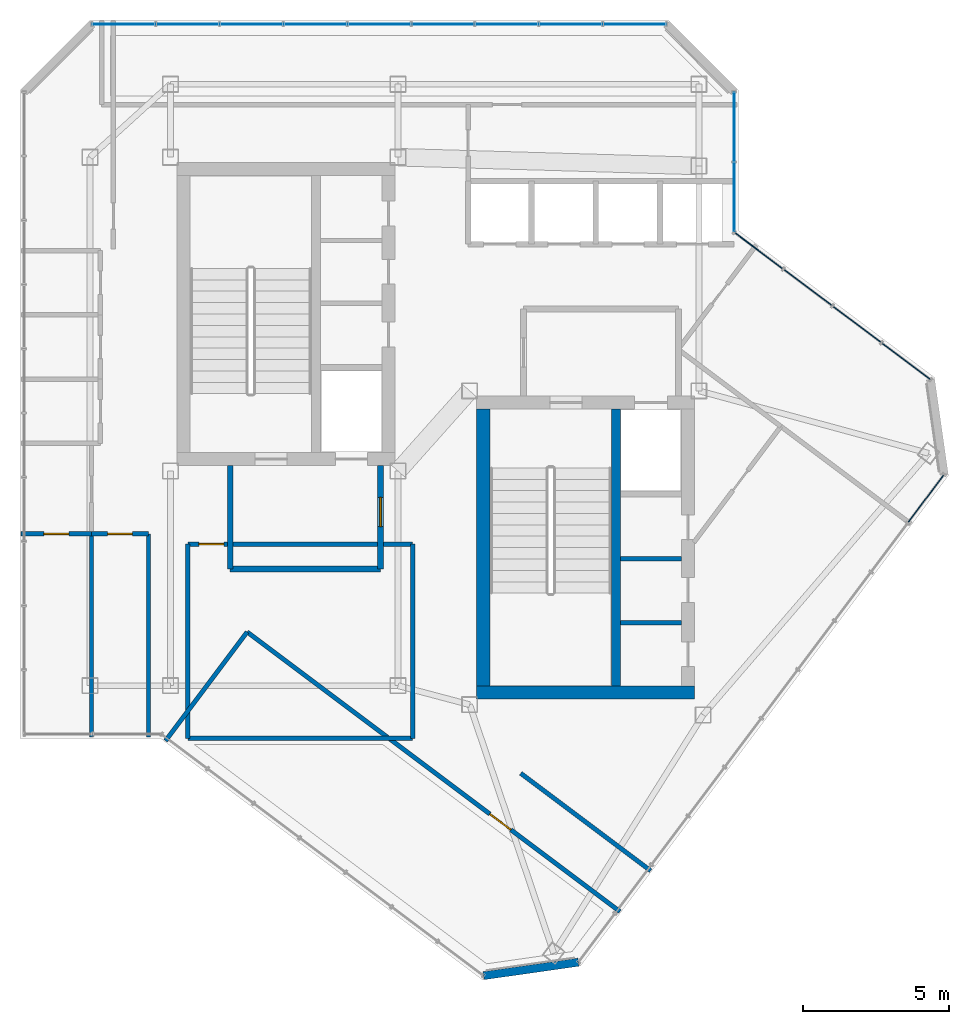
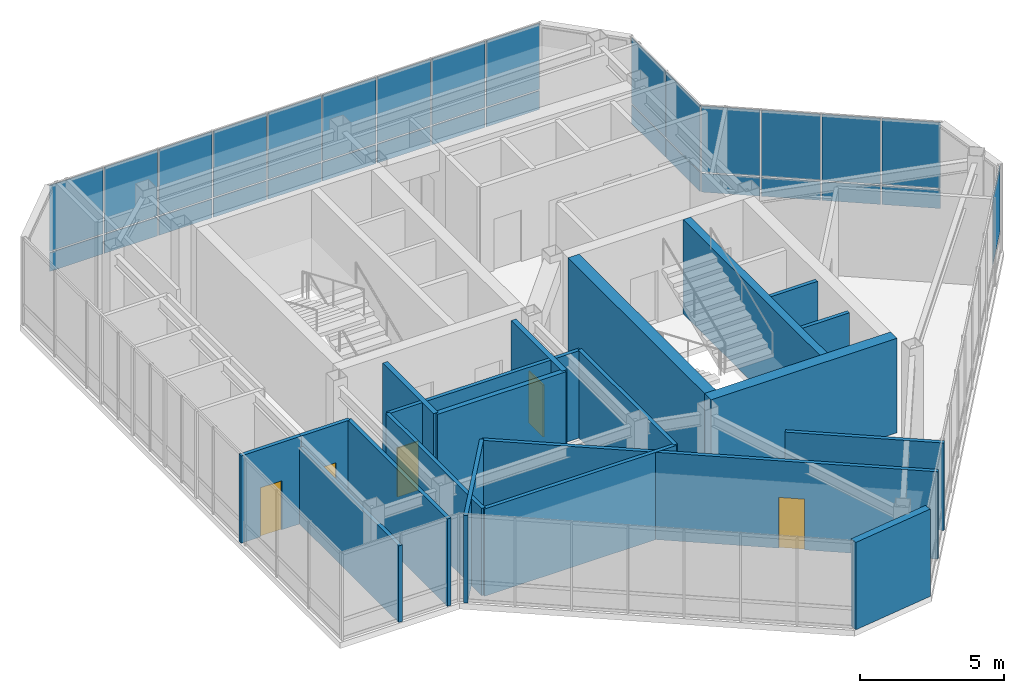
# One storey, part 20 of 24: 31 plates, 20 walls, 5 doors, 5 openings, 4 elements without a shape of their own.
"""IFC4 building model written with IfcOpenShell, lengths in metres."""

from ifc_helpers import new_model, si_unit, direction, frame, frame_2d, origin, origin_2d, place, context, subcontext, project, spatial, rectangle, extrude, material, layer, layer_set, type_object, element, fill, aggregate, save


model = new_model("IFC4")

# Units and contexts
model_context = context("Model", 3, precision=1e-05, world=origin(), true_north=direction((0.0, 1.0)))
body_context = subcontext(model_context, "Body", "Model", "MODEL_VIEW")
ifc_project = project(units=[si_unit("LENGTHUNIT", "METRE"), si_unit("AREAUNIT", "SQUARE_METRE"), si_unit("VOLUMEUNIT", "CUBIC_METRE"), si_unit("PLANEANGLEUNIT", "RADIAN"), si_unit("MASSUNIT", "GRAM", prefix="KILO")], contexts=[model_context])

# Site, building, storey
site_placement = place(None, origin())
site = spatial("IfcSite", under=ifc_project, at=site_placement, CompositionType="ELEMENT")
building_placement = place(site_placement, origin())
building = spatial("IfcBuilding", under=site, at=building_placement, Name="Hatsunagi Terrace Concourse", CompositionType="ELEMENT")
storey_placement = place(building_placement, frame((0.0, 0.0, 285.949951171875)))
storey = spatial("IfcBuildingStorey", under=building, at=storey_placement, Name="L75", CompositionType="ELEMENT", Elevation=285.949951171875)

# Curtain wall, plates
ifc_material_1 = material(Name="Anodised Aluminium Alloy 6063-T5", Category="aluminium")
ifc_layer_1 = layer(ifc_material_1, 0.199951171875)
ifc_layer_set_1 = layer_set([ifc_layer_1], Name="CrownWintergarden_CW06")
curtain_wall_type = type_object("IfcCurtainWallType", Name="CrownWintergarden_CW06", PredefinedType="NOTDEFINED", material=ifc_layer_set_1)
curtain_wall_1_placement = place(storey_placement, origin())
curtain_wall_1 = element("IfcCurtainWall", 1, at=curtain_wall_1_placement, inside=storey, type_object=curtain_wall_type, Name="Unitised Curtain Wall CW-06 CW-L75-01", PredefinedType="NOTDEFINED")
ifc_material_2 = material(Name="Warm Terracotta Ceramic Spandrel Panel", Category="masonry")
ifc_layer_2 = layer(ifc_material_2, 0.031982421875)
ifc_layer_set_2 = layer_set([ifc_layer_2], Name="CurtainWallSpandrelPanel_32")
plate_type_1 = type_object("IfcPlateType", Name="CurtainWallSpandrelPanel_32", PredefinedType="SHEET", material=ifc_layer_set_2)
plate_1_placement = place(storey_placement, frame((45.700927734375, 40.09912109375, 0.030029296875), z_axis=(0.0, 0.0, 1.0), x_axis=(0.800028248794, -0.599962333093, 0.0)))
plate_1 = element("IfcPlate", 2, at=plate_1_placement, type_object=plate_type_1, Name="Terracotta Spandrel Panel SPN-01", PredefinedType="SHEET", context=body_context, shape_type="SweptSolid", body=[
    extrude(rectangle(XDim=2.048095703125, YDim=0.031982421875, at=origin_2d()), origin(), (0.0, 0.0, 1.0), 0.7900390625),
])
plate_2_placement = place(storey_placement, frame((47.384033203125, 38.8369140625, 0.030029296875), z_axis=(0.0, 0.0, 1.0), x_axis=(0.800028248794, -0.599962333093, 0.0)))
plate_2 = element("IfcPlate", 3, at=plate_2_placement, type_object=plate_type_1, Name="Terracotta Spandrel Panel SPN-01", PredefinedType="SHEET", context=body_context, shape_type="SweptSolid", body=[
    extrude(rectangle(XDim=2.048095703125, YDim=0.031982421875, at=origin_2d()), origin(), (0.0, 0.0, 1.0), 0.7900390625),
])
plate_3_placement = place(storey_placement, frame((49.06591796875, 37.575927734375, 0.030029296875), z_axis=(0.0, 0.0, 1.0), x_axis=(0.800028248794, -0.599962333093, 0.0)))
plate_3 = element("IfcPlate", 4, at=plate_3_placement, type_object=plate_type_1, Name="Terracotta Spandrel Panel SPN-01", PredefinedType="SHEET", context=body_context, shape_type="SweptSolid", body=[
    extrude(rectangle(XDim=2.048095703125, YDim=0.031982421875, at=origin_2d()), origin(), (0.0, 0.0, 1.0), 0.7900390625),
])
plate_4_placement = place(storey_placement, frame((50.7490234375, 36.31396484375, 0.030029296875), z_axis=(0.0, 0.0, 1.0), x_axis=(0.800028248794, -0.599962333093, 0.0)))
plate_4 = element("IfcPlate", 5, at=plate_4_placement, type_object=plate_type_1, Name="Terracotta Spandrel Panel SPN-01", PredefinedType="SHEET", context=body_context, shape_type="SweptSolid", body=[
    extrude(rectangle(XDim=2.048095703125, YDim=0.031982421875, at=origin_2d()), origin(), (0.0, 0.0, 1.0), 0.7900390625),
])

curtain_wall_2_placement = place(storey_placement, origin())
curtain_wall_2 = element("IfcCurtainWall", 6, at=curtain_wall_2_placement, inside=storey, type_object=curtain_wall_type, Name="Unitised Curtain Wall CW-06 CW-L75-09", PredefinedType="NOTDEFINED")
plate_5_placement = place(storey_placement, frame((23.951904296875, 47.860107421875, 0.030029296875), z_axis=(0.0, 0.0, 1.0), x_axis=(1.0, 0.0, 0.0)))
plate_5 = element("IfcPlate", 7, at=plate_5_placement, type_object=plate_type_1, Name="Terracotta Spandrel Panel SPN-01", PredefinedType="SHEET", context=body_context, shape_type="SweptSolid", body=[
    extrude(rectangle(XDim=2.132080078125, YDim=0.031982421875, at=origin_2d()), origin(), (0.0, 0.0, 1.0), 0.7900390625),
])
plate_6_placement = place(storey_placement, frame((26.138916015625, 47.860107421875, 0.030029296875), z_axis=(0.0, 0.0, 1.0), x_axis=(1.0, 0.0, 0.0)))
plate_6 = element("IfcPlate", 8, at=plate_6_placement, type_object=plate_type_1, Name="Terracotta Spandrel Panel SPN-01", PredefinedType="SHEET", context=body_context, shape_type="SweptSolid", body=[
    extrude(rectangle(XDim=2.132080078125, YDim=0.031982421875, at=origin_2d()), origin(), (0.0, 0.0, 1.0), 0.7900390625),
])
plate_7_placement = place(storey_placement, frame((28.325927734375, 47.860107421875, 0.030029296875), z_axis=(0.0, 0.0, 1.0), x_axis=(1.0, 0.0, 0.0)))
plate_7 = element("IfcPlate", 9, at=plate_7_placement, type_object=plate_type_1, Name="Terracotta Spandrel Panel SPN-01", PredefinedType="SHEET", context=body_context, shape_type="SweptSolid", body=[
    extrude(rectangle(XDim=2.132080078125, YDim=0.031982421875, at=origin_2d()), origin(), (0.0, 0.0, 1.0), 0.7900390625),
])
plate_8_placement = place(storey_placement, frame((30.512939453125, 47.860107421875, 0.030029296875), z_axis=(0.0, 0.0, 1.0), x_axis=(1.0, 0.0, 0.0)))
plate_8 = element("IfcPlate", 10, at=plate_8_placement, type_object=plate_type_1, Name="Terracotta Spandrel Panel SPN-01", PredefinedType="SHEET", context=body_context, shape_type="SweptSolid", body=[
    extrude(rectangle(XDim=2.132080078125, YDim=0.031982421875, at=origin_2d()), origin(), (0.0, 0.0, 1.0), 0.7900390625),
])
plate_9_placement = place(storey_placement, frame((32.699951171875, 47.860107421875, 0.030029296875), z_axis=(0.0, 0.0, 1.0), x_axis=(1.0, 0.0, 0.0)))
plate_9 = element("IfcPlate", 11, at=plate_9_placement, type_object=plate_type_1, Name="Terracotta Spandrel Panel SPN-01", PredefinedType="SHEET", context=body_context, shape_type="SweptSolid", body=[
    extrude(rectangle(XDim=2.132080078125, YDim=0.031982421875, at=origin_2d()), origin(), (0.0, 0.0, 1.0), 0.7900390625),
])
plate_10_placement = place(storey_placement, frame((34.886962890625, 47.860107421875, 0.030029296875), z_axis=(0.0, 0.0, 1.0), x_axis=(1.0, 0.0, 0.0)))
plate_10 = element("IfcPlate", 12, at=plate_10_placement, type_object=plate_type_1, Name="Terracotta Spandrel Panel SPN-01", PredefinedType="SHEET", context=body_context, shape_type="SweptSolid", body=[
    extrude(rectangle(XDim=2.132080078125, YDim=0.031982421875, at=origin_2d()), origin(), (0.0, 0.0, 1.0), 0.7900390625),
])
plate_11_placement = place(storey_placement, frame((37.073974609375, 47.860107421875, 0.030029296875), z_axis=(0.0, 0.0, 1.0), x_axis=(1.0, 0.0, 0.0)))
plate_11 = element("IfcPlate", 13, at=plate_11_placement, type_object=plate_type_1, Name="Terracotta Spandrel Panel SPN-01", PredefinedType="SHEET", context=body_context, shape_type="SweptSolid", body=[
    extrude(rectangle(XDim=2.132080078125, YDim=0.031982421875, at=origin_2d()), origin(), (0.0, 0.0, 1.0), 0.7900390625),
])
plate_12_placement = place(storey_placement, frame((39.260986328125, 47.860107421875, 0.030029296875), z_axis=(0.0, 0.0, 1.0), x_axis=(1.0, 0.0, 0.0)))
plate_12 = element("IfcPlate", 14, at=plate_12_placement, type_object=plate_type_1, Name="Terracotta Spandrel Panel SPN-01", PredefinedType="SHEET", context=body_context, shape_type="SweptSolid", body=[
    extrude(rectangle(XDim=2.132080078125, YDim=0.031982421875, at=origin_2d()), origin(), (0.0, 0.0, 1.0), 0.7900390625),
])
plate_13_placement = place(storey_placement, frame((41.447998046875, 47.860107421875, 0.030029296875), z_axis=(0.0, 0.0, 1.0), x_axis=(1.0, 0.0, 0.0)))
plate_13 = element("IfcPlate", 15, at=plate_13_placement, type_object=plate_type_1, Name="Terracotta Spandrel Panel SPN-01", PredefinedType="SHEET", context=body_context, shape_type="SweptSolid", body=[
    extrude(rectangle(XDim=2.132080078125, YDim=0.031982421875, at=origin_2d()), origin(), (0.0, 0.0, 1.0), 0.7900390625),
])

curtain_wall_3_placement = place(storey_placement, origin())
curtain_wall_3 = element("IfcCurtainWall", 16, at=curtain_wall_3_placement, inside=storey, type_object=curtain_wall_type, Name="Unitised Curtain Wall CW-06 CW-L75-11", PredefinedType="NOTDEFINED")
plate_14_placement = place(storey_placement, frame((44.860107421875, 44.339111328125, 0.030029296875), z_axis=(0.0, 0.0, 1.0), x_axis=(0.0, -1.0, 0.0)))
plate_14 = element("IfcPlate", 17, at=plate_14_placement, type_object=plate_type_1, Name="Terracotta Spandrel Panel SPN-01", PredefinedType="SHEET", context=body_context, shape_type="SweptSolid", body=[
    extrude(rectangle(XDim=2.35107421875, YDim=0.031982421875, at=origin_2d()), origin(), (0.0, 0.0, 1.0), 0.7900390625),
])
plate_15_placement = place(storey_placement, frame((44.860107421875, 41.93310546875, 0.030029296875), z_axis=(0.0, 0.0, 1.0), x_axis=(0.0, -1.0, 0.0)))
plate_15 = element("IfcPlate", 18, at=plate_15_placement, type_object=plate_type_1, Name="Terracotta Spandrel Panel SPN-01", PredefinedType="SHEET", context=body_context, shape_type="SweptSolid", body=[
    extrude(rectangle(XDim=2.35107421875, YDim=0.031982421875, at=origin_2d()), origin(), (0.0, 0.0, 1.0), 0.7900390625),
])

# Plate
ifc_material_3 = material(Name="Low-E Double Insulating Glass 28mm", Category="glass")
ifc_layer_3 = layer(ifc_material_3, 0.028076171875)
ifc_layer_set_3 = layer_set([ifc_layer_3], Name="CurtainWallVisionGlass_28")
plate_type_2 = type_object("IfcPlateType", Name="CurtainWallVisionGlass_28", PredefinedType="CURTAIN_PANEL", material=ifc_layer_set_3)
plate_16_placement = place(storey_placement, frame((45.700927734375, 40.09912109375, 0.880126953125), z_axis=(0.0, 0.0, 1.0), x_axis=(0.800028248794, -0.599962333093, 0.0)))
plate_16 = element("IfcPlate", 19, at=plate_16_placement, type_object=plate_type_2, Name="Low-E Vision Glass Panel GLZ-01", PredefinedType="CURTAIN_PANEL", context=body_context, shape_type="SweptSolid", body=[
    extrude(rectangle(XDim=2.048095703125, YDim=0.028076171875, at=origin_2d()), origin(), (0.0, 0.0, 1.0), 2.7900390625),
])

plate_17_placement = place(storey_placement, frame((47.384033203125, 38.8369140625, 0.880126953125), z_axis=(0.0, 0.0, 1.0), x_axis=(0.800028248794, -0.599962333093, 0.0)))
plate_17 = element("IfcPlate", 20, at=plate_17_placement, type_object=plate_type_2, Name="Low-E Vision Glass Panel GLZ-01", PredefinedType="CURTAIN_PANEL", context=body_context, shape_type="SweptSolid", body=[
    extrude(rectangle(XDim=2.048095703125, YDim=0.028076171875, at=origin_2d()), origin(), (0.0, 0.0, 1.0), 2.7900390625),
])

plate_18_placement = place(storey_placement, frame((49.06591796875, 37.575927734375, 0.880126953125), z_axis=(0.0, 0.0, 1.0), x_axis=(0.800028248794, -0.599962333093, 0.0)))
plate_18 = element("IfcPlate", 21, at=plate_18_placement, type_object=plate_type_2, Name="Low-E Vision Glass Panel GLZ-01", PredefinedType="CURTAIN_PANEL", context=body_context, shape_type="SweptSolid", body=[
    extrude(rectangle(XDim=2.048095703125, YDim=0.028076171875, at=origin_2d()), origin(), (0.0, 0.0, 1.0), 2.7900390625),
])

plate_19_placement = place(storey_placement, frame((50.7490234375, 36.31396484375, 0.880126953125), z_axis=(0.0, 0.0, 1.0), x_axis=(0.800028248794, -0.599962333093, 0.0)))
plate_19 = element("IfcPlate", 22, at=plate_19_placement, type_object=plate_type_2, Name="Low-E Vision Glass Panel GLZ-01", PredefinedType="CURTAIN_PANEL", context=body_context, shape_type="SweptSolid", body=[
    extrude(rectangle(XDim=2.048095703125, YDim=0.028076171875, at=origin_2d()), origin(), (0.0, 0.0, 1.0), 2.7900390625),
])

aggregate(curtain_wall_1, [plate_1, plate_16, plate_2, plate_17, plate_3, plate_18, plate_4, plate_19])

# Curtain wall, plate
curtain_wall_4_placement = place(storey_placement, origin())
curtain_wall_4 = element("IfcCurtainWall", 23, at=curtain_wall_4_placement, inside=storey, type_object=curtain_wall_type, Name="Unitised Curtain Wall CW-06 CW-L75-03", PredefinedType="NOTDEFINED")
plate_20_placement = place(storey_placement, frame((51.426025390625, 31.60302734375, 0.880126953125), z_axis=(0.0, 0.0, 1.0), x_axis=(-0.599969314634, -0.800023013105, 0.0)))
plate_20 = element("IfcPlate", 24, at=plate_20_placement, type_object=plate_type_2, Name="Low-E Vision Glass Panel GLZ-01", PredefinedType="CURTAIN_PANEL", context=body_context, shape_type="SweptSolid", body=[
    extrude(rectangle(XDim=2.032958984375, YDim=0.028076171875, at=origin_2d()), origin(), (0.0, 0.0, 1.0), 2.7900390625),
])
aggregate(curtain_wall_4, [plate_20])

# Plate
plate_21_placement = place(storey_placement, frame((23.951904296875, 47.860107421875, 0.880126953125), z_axis=(0.0, 0.0, 1.0), x_axis=(1.0, 0.0, 0.0)))
plate_21 = element("IfcPlate", 25, at=plate_21_placement, type_object=plate_type_2, Name="Low-E Vision Glass Panel GLZ-01", PredefinedType="CURTAIN_PANEL", context=body_context, shape_type="SweptSolid", body=[
    extrude(rectangle(XDim=2.132080078125, YDim=0.028076171875, at=origin_2d()), origin(), (0.0, 0.0, 1.0), 2.7900390625),
])

plate_22_placement = place(storey_placement, frame((26.138916015625, 47.860107421875, 0.880126953125), z_axis=(0.0, 0.0, 1.0), x_axis=(1.0, 0.0, 0.0)))
plate_22 = element("IfcPlate", 26, at=plate_22_placement, type_object=plate_type_2, Name="Low-E Vision Glass Panel GLZ-01", PredefinedType="CURTAIN_PANEL", context=body_context, shape_type="SweptSolid", body=[
    extrude(rectangle(XDim=2.132080078125, YDim=0.028076171875, at=origin_2d()), origin(), (0.0, 0.0, 1.0), 2.7900390625),
])

plate_23_placement = place(storey_placement, frame((28.325927734375, 47.860107421875, 0.880126953125), z_axis=(0.0, 0.0, 1.0), x_axis=(1.0, 0.0, 0.0)))
plate_23 = element("IfcPlate", 27, at=plate_23_placement, type_object=plate_type_2, Name="Low-E Vision Glass Panel GLZ-01", PredefinedType="CURTAIN_PANEL", context=body_context, shape_type="SweptSolid", body=[
    extrude(rectangle(XDim=2.132080078125, YDim=0.028076171875, at=origin_2d()), origin(), (0.0, 0.0, 1.0), 2.7900390625),
])

plate_24_placement = place(storey_placement, frame((30.512939453125, 47.860107421875, 0.880126953125), z_axis=(0.0, 0.0, 1.0), x_axis=(1.0, 0.0, 0.0)))
plate_24 = element("IfcPlate", 28, at=plate_24_placement, type_object=plate_type_2, Name="Low-E Vision Glass Panel GLZ-01", PredefinedType="CURTAIN_PANEL", context=body_context, shape_type="SweptSolid", body=[
    extrude(rectangle(XDim=2.132080078125, YDim=0.028076171875, at=origin_2d()), origin(), (0.0, 0.0, 1.0), 2.7900390625),
])

plate_25_placement = place(storey_placement, frame((32.699951171875, 47.860107421875, 0.880126953125), z_axis=(0.0, 0.0, 1.0), x_axis=(1.0, 0.0, 0.0)))
plate_25 = element("IfcPlate", 29, at=plate_25_placement, type_object=plate_type_2, Name="Low-E Vision Glass Panel GLZ-01", PredefinedType="CURTAIN_PANEL", context=body_context, shape_type="SweptSolid", body=[
    extrude(rectangle(XDim=2.132080078125, YDim=0.028076171875, at=origin_2d()), origin(), (0.0, 0.0, 1.0), 2.7900390625),
])

plate_26_placement = place(storey_placement, frame((34.886962890625, 47.860107421875, 0.880126953125), z_axis=(0.0, 0.0, 1.0), x_axis=(1.0, 0.0, 0.0)))
plate_26 = element("IfcPlate", 30, at=plate_26_placement, type_object=plate_type_2, Name="Low-E Vision Glass Panel GLZ-01", PredefinedType="CURTAIN_PANEL", context=body_context, shape_type="SweptSolid", body=[
    extrude(rectangle(XDim=2.132080078125, YDim=0.028076171875, at=origin_2d()), origin(), (0.0, 0.0, 1.0), 2.7900390625),
])

plate_27_placement = place(storey_placement, frame((37.073974609375, 47.860107421875, 0.880126953125), z_axis=(0.0, 0.0, 1.0), x_axis=(1.0, 0.0, 0.0)))
plate_27 = element("IfcPlate", 31, at=plate_27_placement, type_object=plate_type_2, Name="Low-E Vision Glass Panel GLZ-01", PredefinedType="CURTAIN_PANEL", context=body_context, shape_type="SweptSolid", body=[
    extrude(rectangle(XDim=2.132080078125, YDim=0.028076171875, at=origin_2d()), origin(), (0.0, 0.0, 1.0), 2.7900390625),
])

plate_28_placement = place(storey_placement, frame((39.260986328125, 47.860107421875, 0.880126953125), z_axis=(0.0, 0.0, 1.0), x_axis=(1.0, 0.0, 0.0)))
plate_28 = element("IfcPlate", 32, at=plate_28_placement, type_object=plate_type_2, Name="Low-E Vision Glass Panel GLZ-01", PredefinedType="CURTAIN_PANEL", context=body_context, shape_type="SweptSolid", body=[
    extrude(rectangle(XDim=2.132080078125, YDim=0.028076171875, at=origin_2d()), origin(), (0.0, 0.0, 1.0), 2.7900390625),
])

plate_29_placement = place(storey_placement, frame((41.447998046875, 47.860107421875, 0.880126953125), z_axis=(0.0, 0.0, 1.0), x_axis=(1.0, 0.0, 0.0)))
plate_29 = element("IfcPlate", 33, at=plate_29_placement, type_object=plate_type_2, Name="Low-E Vision Glass Panel GLZ-01", PredefinedType="CURTAIN_PANEL", context=body_context, shape_type="SweptSolid", body=[
    extrude(rectangle(XDim=2.132080078125, YDim=0.028076171875, at=origin_2d()), origin(), (0.0, 0.0, 1.0), 2.7900390625),
])

aggregate(curtain_wall_2, [plate_5, plate_21, plate_6, plate_22, plate_7, plate_23, plate_8, plate_24, plate_9, plate_25, plate_10, plate_26, plate_11, plate_27, plate_12, plate_28, plate_13, plate_29])

plate_30_placement = place(storey_placement, frame((44.860107421875, 44.339111328125, 0.880126953125), z_axis=(0.0, 0.0, 1.0), x_axis=(0.0, -1.0, 0.0)))
plate_30 = element("IfcPlate", 34, at=plate_30_placement, type_object=plate_type_2, Name="Low-E Vision Glass Panel GLZ-01", PredefinedType="CURTAIN_PANEL", context=body_context, shape_type="SweptSolid", body=[
    extrude(rectangle(XDim=2.35107421875, YDim=0.028076171875, at=origin_2d()), origin(), (0.0, 0.0, 1.0), 2.7900390625),
])

plate_31_placement = place(storey_placement, frame((44.860107421875, 41.93310546875, 0.880126953125), z_axis=(0.0, 0.0, 1.0), x_axis=(0.0, -1.0, 0.0)))
plate_31 = element("IfcPlate", 35, at=plate_31_placement, type_object=plate_type_2, Name="Low-E Vision Glass Panel GLZ-01", PredefinedType="CURTAIN_PANEL", context=body_context, shape_type="SweptSolid", body=[
    extrude(rectangle(XDim=2.35107421875, YDim=0.028076171875, at=origin_2d()), origin(), (0.0, 0.0, 1.0), 2.7900390625),
])

aggregate(curtain_wall_3, [plate_14, plate_30, plate_15, plate_31])

# Walls
ifc_material_4 = material(Name="Concrete Fc42", Category="concrete")
ifc_layer_4 = layer(ifc_material_4, 0.449951171875)
ifc_layer_set_4 = layer_set([ifc_layer_4], Name="CoreShearWall_Fc42_450")
wall_type_1 = type_object("IfcWallType", Name="CoreShearWall_Fc42_450", PredefinedType="SHEAR", material=ifc_layer_set_4)
wall_1_placement = place(storey_placement, frame((36.0400390625, 24.965087890625, 0.0), z_axis=(0.0, 0.0, 1.0), x_axis=(1.0, 0.0, 0.0)))
element("IfcWall", 36, at=wall_1_placement, inside=storey, type_object=wall_type_1, Name="Core B Shear Wall S L75", PredefinedType="SHEAR", context=body_context, shape_type="SweptSolid", body=[
    extrude(rectangle(XDim=7.4599609375, YDim=0.449951171875, at=frame_2d((3.72998046875, 0.0))), origin(), (0.0, 0.0, 1.0), 4.0),
])
wall_2_placement = place(storey_placement, frame((36.264892578125, 25.18994140625, 0.0), z_axis=(0.0, 0.0, 1.0), x_axis=(0.0, 1.0, 0.0)))
element("IfcWall", 37, at=wall_2_placement, inside=storey, type_object=wall_type_1, Name="Core B Shear Wall W L75", PredefinedType="SHEAR", context=body_context, shape_type="SweptSolid", body=[
    extrude(rectangle(XDim=9.47998046875, YDim=0.449951171875, at=frame_2d((4.739990234375, 0.0))), origin(), (0.0, 0.0, 1.0), 4.0),
])
ifc_material_5 = material(Name="Concrete Fc48", Category="concrete")
ifc_layer_5 = layer(ifc_material_5, 0.300048828125)
ifc_layer_set_5 = layer_set([ifc_layer_5], Name="CoreStairDivider_Fc48_300")
wall_type_2 = type_object("IfcWallType", Name="CoreStairDivider_Fc48_300", PredefinedType="SHEAR", material=ifc_layer_set_5)
wall_3_placement = place(storey_placement, frame((40.81005859375, 25.18994140625, 0.0), z_axis=(0.0, 0.0, 1.0), x_axis=(0.0, 1.0, 0.0)))
element("IfcWall", 38, at=wall_3_placement, inside=storey, type_object=wall_type_2, Name="Core B Shear Wall D L75", PredefinedType="SHEAR", context=body_context, shape_type="SweptSolid", body=[
    extrude(rectangle(XDim=9.47998046875, YDim=0.300048828125, at=frame_2d((4.739990234375, 0.0))), origin(), (0.0, 0.0, 1.0), 4.0),
])
ifc_material_6 = material(Name="Acoustic mineral board", Category="gypsum")
ifc_layer_6 = layer(ifc_material_6, 0.14990234375)
ifc_layer_set_6 = layer_set([ifc_layer_6], Name="PartitionWall_EI60_150")
wall_type_3 = type_object("IfcWallType", Name="PartitionWall_EI60_150", PredefinedType="PARTITIONING", material=ifc_layer_set_6)
for number, where, z_axis, x_axis, name in (
    (39, (40.969970703125, 27.35009765625, 0.0), (0.0, 0.0, 1.0), (1.0, 0.0, 0.0), "Interior Partition IW-L75-005"),
    (40, (40.969970703125, 29.550048828125, 0.0), (0.0, 0.0, 1.0), (1.0, 0.0, 0.0), "Interior Partition IW-L75-006"),
):
    element("IfcWall", number, at=place(storey_placement, frame(where, z_axis=z_axis, x_axis=x_axis)), inside=storey, type_object=wall_type_3, Name=name, PredefinedType="PARTITIONING", context=body_context, shape_type="SweptSolid", body=[
        extrude(rectangle(XDim=2.080078125, YDim=0.14990234375, at=frame_2d((1.0400390625, 0.0))), origin(), (0.0, 0.0, 1.0), 3.699951171875),
    ])
wall_4_placement = place(storey_placement, frame((26.14990234375, 23.39990234375, 0.0), z_axis=(0.0, 0.0, 1.0), x_axis=(1.0, 0.0, 0.0)))
element("IfcWall", 41, at=wall_4_placement, inside=storey, type_object=wall_type_3, Name="Interior Partition IW-L75-026", PredefinedType="PARTITIONING", context=body_context, shape_type="SweptSolid", body=[
    extrude(rectangle(XDim=7.7001953125, YDim=0.14990234375, at=frame_2d((3.85009765625, 0.0))), origin(), (0.0, 0.0, 1.0), 3.699951171875),
])

# Wall, opening, door
wall_5_placement = place(storey_placement, frame((26.14990234375, 30.050048828125, 0.0), z_axis=(0.0, 0.0, 1.0), x_axis=(1.0, 0.0, 0.0)))
wall_5 = element("IfcWall", 42, at=wall_5_placement, inside=storey, type_object=wall_type_3, Name="Interior Partition IW-L75-027", PredefinedType="PARTITIONING", context=body_context, shape_type="SweptSolid", body=[
    extrude(rectangle(XDim=7.7001953125, YDim=0.14990234375, at=frame_2d((3.85009765625, 0.0))), origin(), (0.0, 0.0, 1.0), 3.699951171875),
])
opening_1_placement = place(wall_5_placement, frame((0.3798828125, 0.0, 0.0)))
opening_1 = element("IfcOpeningElement", 43, at=opening_1_placement, cuts=wall_5, Name="Opening DR-085", PredefinedType="OPENING", context=body_context, shape_type="SweptSolid", body=[
    extrude(rectangle(XDim=0.85009765625, YDim=2.080078125, at=frame_2d((0.425048828125, 1.0400390625))), frame((0.0, 0.0849609375, 0.0), z_axis=(0.0, -1.0, 0.0), x_axis=(1.0, 0.0, 0.0)), (0.0, 0.0, 1.0), 0.169921875),
])
ifc_material_7 = material(Name="Painted steel", Category="steel")
door_type_1 = type_object("IfcDoorType", Name="RiserAccessDoor_EI60_850", OperationType="NOTDEFINED", PredefinedType="DOOR", material=ifc_material_7)
door_1_placement = place(opening_1_placement, origin())
door_1 = element("IfcDoor", 44, at=door_1_placement, inside=storey, type_object=door_type_1, Name="Crown Executive Suite L75-RECL1 Door", OperationType="SINGLE_SWING_RIGHT", OverallHeight=2.080078125, OverallWidth=0.85009765625, PredefinedType="DOOR", context=body_context, shape_type="SweptSolid", body=[
    extrude(rectangle(XDim=0.85009765625, YDim=2.080078125, at=frame_2d((0.425048828125, 1.0400390625))), frame((0.0, 0.02490234375, 0.0), z_axis=(0.0, -1.0, 0.0), x_axis=(1.0, 0.0, 0.0)), (0.0, 0.0, 1.0), 0.050048828125),
])
fill(opening_1, door_1)

# Walls
for number, where, z_axis, x_axis, name in (
    (45, (26.14990234375, 23.39990234375, 0.0), (0.0, 0.0, 1.0), (0.0, 1.0, 0.0), "Interior Partition IW-L75-028"),
    (46, (33.85009765625, 23.39990234375, 0.0), (0.0, 0.0, 1.0), (0.0, 1.0, 0.0), "Interior Partition IW-L75-029"),
):
    element("IfcWall", number, at=place(storey_placement, frame(where, z_axis=z_axis, x_axis=x_axis)), inside=storey, type_object=wall_type_3, Name=name, PredefinedType="PARTITIONING", context=body_context, shape_type="SweptSolid", body=[
        extrude(rectangle(XDim=6.650146484375, YDim=0.14990234375, at=frame_2d((3.3251953125, 0.0))), origin(), (0.0, 0.0, 1.0), 3.699951171875),
    ])

# Wall, opening, door
wall_6_placement = place(storey_placement, frame((20.43994140625, 30.39990234375, 0.0), z_axis=(0.0, 0.0, 1.0), x_axis=(1.0, 0.0, 0.0)))
wall_6 = element("IfcWall", 47, at=wall_6_placement, inside=storey, type_object=wall_type_3, Name="Interior Partition IW-L75-033", PredefinedType="PARTITIONING", context=body_context, shape_type="SweptSolid", body=[
    extrude(rectangle(XDim=2.41015625, YDim=0.14990234375, at=frame_2d((1.205078125, 0.0))), origin(), (0.0, 0.0, 1.0), 3.699951171875),
])
opening_2_placement = place(wall_6_placement, frame((0.780029296875, 0.0, 0.0)))
opening_2 = element("IfcOpeningElement", 48, at=opening_2_placement, cuts=wall_6, Name="Opening DR-085", PredefinedType="OPENING", context=body_context, shape_type="SweptSolid", body=[
    extrude(rectangle(XDim=0.85009765625, YDim=2.080078125, at=frame_2d((0.425048828125, 1.0400390625))), frame((0.0, 0.0849609375, 0.0), z_axis=(0.0, -1.0, 0.0), x_axis=(1.0, 0.0, 0.0)), (0.0, 0.0, 1.0), 0.169921875),
])
door_2_placement = place(opening_2_placement, origin())
door_2 = element("IfcDoor", 49, at=door_2_placement, inside=storey, type_object=door_type_1, Name="Sky Lounge L75-CRSK1 Door", OperationType="SINGLE_SWING_RIGHT", OverallHeight=2.080078125, OverallWidth=0.85009765625, PredefinedType="DOOR", context=body_context, shape_type="SweptSolid", body=[
    extrude(rectangle(XDim=0.85009765625, YDim=2.080078125, at=frame_2d((0.425048828125, 1.0400390625))), frame((0.0, 0.02490234375, 0.0), z_axis=(0.0, -1.0, 0.0), x_axis=(1.0, 0.0, 0.0)), (0.0, 0.0, 1.0), 0.050048828125),
])
fill(opening_2, door_2)

# Wall
wall_7_placement = place(storey_placement, frame((22.85009765625, 23.43994140625, 0.0), z_axis=(0.0, 0.0, 1.0), x_axis=(0.0, 1.0, 0.0)))
element("IfcWall", 50, at=wall_7_placement, inside=storey, type_object=wall_type_3, Name="Interior Partition IW-L75-034", PredefinedType="PARTITIONING", context=body_context, shape_type="SweptSolid", body=[
    extrude(rectangle(XDim=6.9599609375, YDim=0.14990234375, at=frame_2d((3.47998046875, 0.0))), origin(), (0.0, 0.0, 1.0), 3.2451171875),
])

# Wall, opening, door
wall_8_placement = place(storey_placement, frame((22.85009765625, 30.39990234375, 0.0), z_axis=(0.0, 0.0, 1.0), x_axis=(1.0, 0.0, 0.0)))
wall_8 = element("IfcWall", 51, at=wall_8_placement, inside=storey, type_object=wall_type_3, Name="Interior Partition IW-L75-035", PredefinedType="PARTITIONING", context=body_context, shape_type="SweptSolid", body=[
    extrude(rectangle(XDim=1.949951171875, YDim=0.14990234375, at=frame_2d((0.97509765625, 0.0))), origin(), (0.0, 0.0, 1.0), 3.699951171875),
])
opening_3_placement = place(wall_8_placement, frame((0.550048828125, 0.0, 0.0)))
opening_3 = element("IfcOpeningElement", 52, at=opening_3_placement, cuts=wall_8, Name="Opening DR-085", PredefinedType="OPENING", context=body_context, shape_type="SweptSolid", body=[
    extrude(rectangle(XDim=0.85009765625, YDim=2.080078125, at=frame_2d((0.425048828125, 1.0400390625))), frame((0.0, 0.0849609375, 0.0), z_axis=(0.0, -1.0, 0.0), x_axis=(1.0, 0.0, 0.0)), (0.0, 0.0, 1.0), 0.169921875),
])
door_3_placement = place(opening_3_placement, origin())
door_3 = element("IfcDoor", 53, at=door_3_placement, inside=storey, type_object=door_type_1, Name="Client Consultation Room L75-CRSK2 Door", OperationType="SINGLE_SWING_RIGHT", OverallHeight=2.080078125, OverallWidth=0.85009765625, PredefinedType="DOOR", context=body_context, shape_type="SweptSolid", body=[
    extrude(rectangle(XDim=0.85009765625, YDim=2.080078125, at=frame_2d((0.425048828125, 1.0400390625))), frame((0.0, 0.02490234375, 0.0), z_axis=(0.0, -1.0, 0.0), x_axis=(1.0, 0.0, 0.0)), (0.0, 0.0, 1.0), 0.050048828125),
])
fill(opening_3, door_3)

# Wall
wall_9_placement = place(storey_placement, frame((24.800048828125, 23.43994140625, 0.0), z_axis=(0.0, 0.0, 1.0), x_axis=(0.0, 1.0, 0.0)))
element("IfcWall", 54, at=wall_9_placement, inside=storey, type_object=wall_type_3, Name="Interior Partition IW-L75-036", PredefinedType="PARTITIONING", context=body_context, shape_type="SweptSolid", body=[
    extrude(rectangle(XDim=6.9599609375, YDim=0.14990234375, at=frame_2d((3.47998046875, 0.0))), origin(), (0.0, 0.0, 1.0), 3.699951171875),
])

# Wall, opening, door
wall_10_placement = place(storey_placement, frame((28.179931640625, 27.0400390625, 0.0), z_axis=(0.0, 0.0, 1.0), x_axis=(0.80000367127, -0.599995104942, 0.0)))
wall_10 = element("IfcWall", 55, at=wall_10_placement, inside=storey, type_object=wall_type_3, Name="Interior Partition IW-L75-039", PredefinedType="PARTITIONING", context=body_context, shape_type="SweptSolid", body=[
    extrude(rectangle(XDim=15.9599609375, YDim=0.14990234375, at=frame_2d((7.97998046875, 0.0))), origin(), (0.0, 0.0, 1.0), 3.699951171875),
])
opening_4_placement = place(wall_10_placement, frame((10.389892578125, 0.0, 0.0)))
opening_4 = element("IfcOpeningElement", 56, at=opening_4_placement, cuts=wall_10, Name="Opening DR-090", PredefinedType="OPENING", context=body_context, shape_type="SweptSolid", body=[
    extrude(rectangle(XDim=0.89990234375, YDim=2.14990234375, at=frame_2d((0.449951171875, 1.074951171875))), frame((0.0, 0.0849609375, 0.0), z_axis=(0.0, -1.0, 0.0), x_axis=(1.0, 0.0, 0.0)), (0.0, 0.0, 1.0), 0.169921875),
])
ifc_material_8 = material(Name="Hardwood timber", Category="wood")
door_type_2 = type_object("IfcDoorType", Name="CrownPavilionDoor_EI30_900", OperationType="NOTDEFINED", PredefinedType="DOOR", material=ifc_material_8)
door_4_placement = place(opening_4_placement, origin())
door_4 = element("IfcDoor", 57, at=door_4_placement, inside=storey, type_object=door_type_2, Name="Design Studio L75-CRSWS Door", OperationType="SINGLE_SWING_RIGHT", OverallHeight=2.14990234375, OverallWidth=0.89990234375, PredefinedType="DOOR", context=body_context, shape_type="SweptSolid", body=[
    extrude(rectangle(XDim=0.89990234375, YDim=2.14990234375, at=frame_2d((0.449951171875, 1.074951171875))), frame((0.0, 0.02490234375, 0.0), z_axis=(0.0, -1.0, 0.0), x_axis=(1.0, 0.0, 0.0)), (0.0, 0.0, 1.0), 0.050048828125),
])
fill(opening_4, door_4)

# Walls
wall_11_placement = place(storey_placement, frame((25.384033203125, 23.31201171875, 0.0), z_axis=(0.0, 0.0, 1.0), x_axis=(0.599983234706, 0.800012573696, 0.0)))
element("IfcWall", 58, at=wall_11_placement, inside=storey, type_object=wall_type_3, Name="Interior Partition IW-L75-040", PredefinedType="PARTITIONING", context=body_context, shape_type="SweptSolid", body=[
    extrude(rectangle(XDim=4.659912109375, YDim=0.14990234375, at=frame_2d((2.330078125, 0.0))), origin(), (0.0, 0.0, 1.0), 3.699951171875),
])
wall_12_placement = place(storey_placement, frame((37.550048828125, 22.199951171875, 0.0), z_axis=(0.0, 0.0, 1.0), x_axis=(0.800005269228, -0.599992974298, 0.0)))
element("IfcWall", 59, at=wall_12_placement, inside=storey, type_object=wall_type_3, Name="Interior Partition IW-L75-041", PredefinedType="PARTITIONING", context=body_context, shape_type="SweptSolid", body=[
    extrude(rectangle(XDim=5.56005859375, YDim=0.14990234375, at=frame_2d((2.780029296875, 0.0))), origin(), (0.0, 0.0, 1.0), 3.699951171875),
])
ifc_material_9 = material(Name="Acoustic mineral board", Category="gypsum")
ifc_layer_7 = layer(ifc_material_9, 0.199951171875)
ifc_layer_set_7 = layer_set([ifc_layer_7], Name="ShaftWall_EI120_200")
wall_type_4 = type_object("IfcWallType", Name="ShaftWall_EI120_200", PredefinedType="STANDARD", material=ifc_layer_set_7)
wall_13_placement = place(storey_placement, frame((27.60009765625, 29.199951171875, 0.0), z_axis=(0.0, 0.0, 1.0), x_axis=(1.0, 0.0, 0.0)))
element("IfcWall", 60, at=wall_13_placement, inside=storey, type_object=wall_type_4, Name="Interior Partition IW-L75-007", PredefinedType="STANDARD", context=body_context, shape_type="SweptSolid", body=[
    extrude(rectangle(XDim=5.14990234375, YDim=0.199951171875, at=frame_2d((2.574951171875, 0.0))), origin(), (0.0, 0.0, 1.0), 3.699951171875),
])
wall_14_placement = place(storey_placement, frame((27.60009765625, 29.199951171875, 0.0), z_axis=(0.0, 0.0, 1.0), x_axis=(0.0, 1.0, 0.0)))
element("IfcWall", 61, at=wall_14_placement, inside=storey, type_object=wall_type_4, Name="Interior Partition IW-L75-008", PredefinedType="STANDARD", context=body_context, shape_type="SweptSolid", body=[
    extrude(rectangle(XDim=3.5400390625, YDim=0.199951171875, at=frame_2d((1.77001953125, 0.0))), origin(), (0.0, 0.0, 1.0), 3.699951171875),
])

# Wall, opening, door
wall_15_placement = place(storey_placement, frame((32.75, 29.199951171875, 0.0), z_axis=(0.0, 0.0, 1.0), x_axis=(0.0, 1.0, 0.0)))
wall_15 = element("IfcWall", 62, at=wall_15_placement, inside=storey, type_object=wall_type_4, Name="Interior Partition IW-L75-009", PredefinedType="STANDARD", context=body_context, shape_type="SweptSolid", body=[
    extrude(rectangle(XDim=3.5400390625, YDim=0.199951171875, at=frame_2d((1.77001953125, 0.0))), origin(), (0.0, 0.0, 1.0), 3.699951171875),
])
opening_5_placement = place(wall_15_placement, frame((1.449951171875, 0.0, 0.0)))
opening_5 = element("IfcOpeningElement", 63, at=opening_5_placement, cuts=wall_15, Name="Opening DR-100F", PredefinedType="OPENING", context=body_context, shape_type="SweptSolid", body=[
    extrude(rectangle(XDim=1.0, YDim=2.199951171875, at=frame_2d((0.5, 1.10009765625))), frame((0.0, 0.10986328125, 0.0), z_axis=(0.0, -1.0, 0.0), x_axis=(1.0, 0.0, 0.0)), (0.0, 0.0, 1.0), 0.219970703125),
])
ifc_material_10 = material(Name="Painted steel", Category="steel")
door_type_3 = type_object("IfcDoorType", Name="FireDoor_EI60_1000", OperationType="NOTDEFINED", PredefinedType="DOOR", material=ifc_material_10)
door_5_placement = place(opening_5_placement, origin())
door_5 = element("IfcDoor", 64, at=door_5_placement, inside=storey, type_object=door_type_3, Name="Firefighting Lobby A Door L75", OperationType="SINGLE_SWING_RIGHT", OverallHeight=2.199951171875, OverallWidth=1.0, PredefinedType="DOOR", context=body_context, shape_type="SweptSolid", body=[
    extrude(rectangle(XDim=1.0, YDim=2.199951171875, at=frame_2d((0.5, 1.10009765625))), frame((0.0, 0.02490234375, 0.0), z_axis=(0.0, -1.0, 0.0), x_axis=(1.0, 0.0, 0.0)), (0.0, 0.0, 1.0), 0.050048828125),
])
fill(opening_5, door_5)

# Wall
ifc_material_11 = material(Name="Autoclaved Lightweight Concrete and Terracotta Cladding", Category="masonry")
ifc_layer_8 = layer(ifc_material_11, 0.280029296875)
ifc_layer_set_8 = layer_set([ifc_layer_8], Name="TerracottaSpandrelWall_280")
wall_type_5 = type_object("IfcWallType", Name="TerracottaSpandrelWall_280", PredefinedType="STANDARD", material=ifc_layer_set_8)
wall_16_placement = place(storey_placement, frame((39.52294921875, 15.72998046875, 0.0), z_axis=(0.0, 0.0, 1.0), x_axis=(-0.989977778067, -0.141223223777, 0.0)))
element("IfcWall", 65, at=wall_16_placement, inside=storey, type_object=wall_type_5, Name="Exterior Spandrel Wall EW-L75-04", PredefinedType="STANDARD", context=body_context, shape_type="SweptSolid", body=[
    extrude(rectangle(XDim=3.27783203125, YDim=0.280029296875, at=frame_2d((1.638916015625, 0.0))), origin(), (0.0, 0.0, 1.0), 3.699951171875),
])

save(model, "model.ifc")
